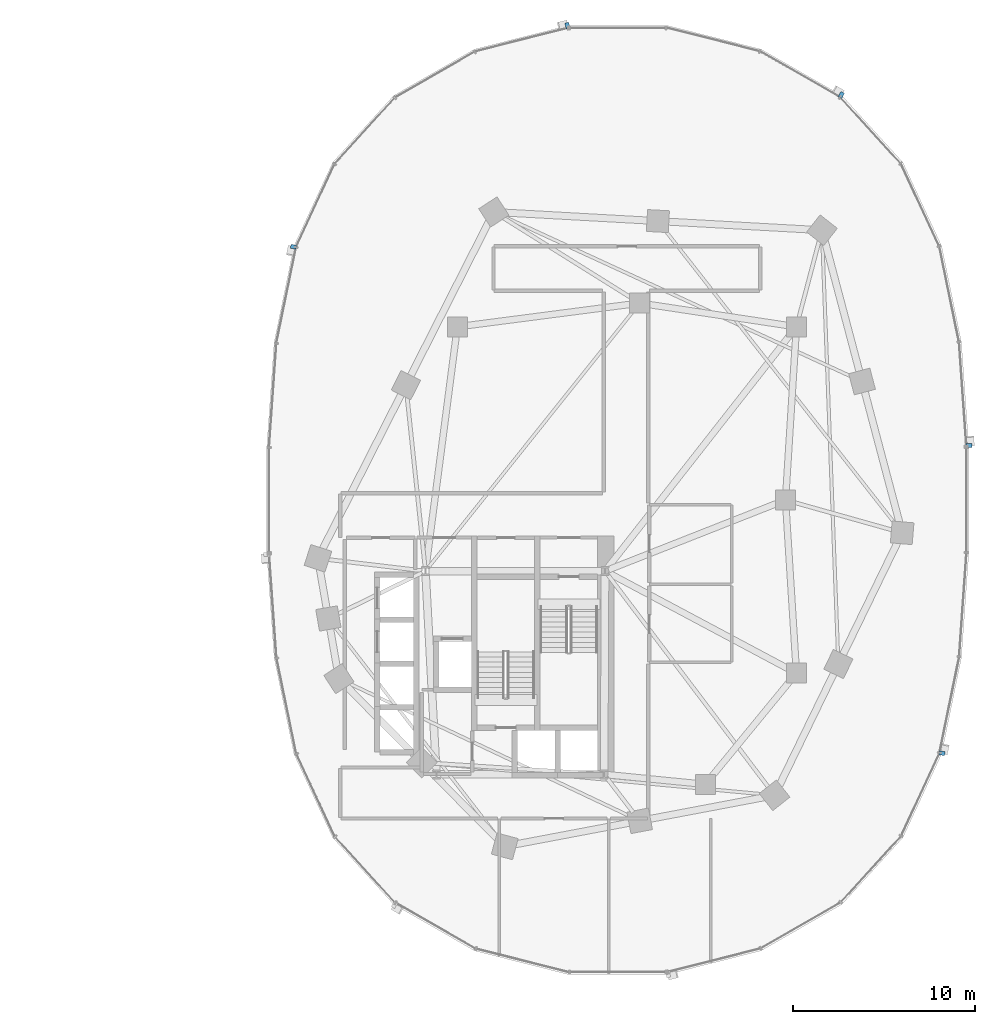
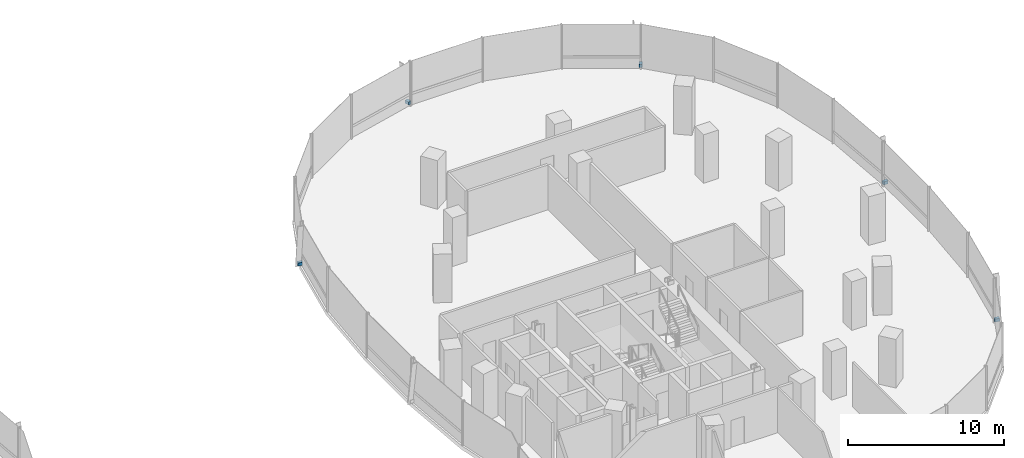
# One storey, part 16 of 21: 5 discrete accessories.
"""IFC4 building model written with IfcOpenShell, lengths in metres."""

from ifc_helpers import new_model, si_unit, direction, frame, origin, origin_2d, place, context, subcontext, project, spatial, rectangle, extrude, material, type_object, element, save


model = new_model("IFC4")

# Units and contexts
model_context = context("Model", 3, precision=1e-05, world=origin(), true_north=direction((0.0, 1.0)))
body_context = subcontext(model_context, "Body", "Model", "MODEL_VIEW")
ifc_project = project(units=[si_unit("LENGTHUNIT", "METRE"), si_unit("AREAUNIT", "SQUARE_METRE"), si_unit("VOLUMEUNIT", "CUBIC_METRE"), si_unit("PLANEANGLEUNIT", "RADIAN"), si_unit("MASSUNIT", "GRAM", prefix="KILO"), si_unit("THERMODYNAMICTEMPERATUREUNIT", "KELVIN"), si_unit("POWERUNIT", "WATT")], contexts=[model_context])

# Site, building, storey
site_placement = place(None, origin())
site = spatial("IfcSite", under=ifc_project, at=site_placement, CompositionType="ELEMENT")
building_placement = place(site_placement, origin())
building = spatial("IfcBuilding", under=site, at=building_placement, Name="Cundina Bronze Exchange", CompositionType="ELEMENT")
storey_placement = place(building_placement, frame((0.0, 0.0, 69.60009765625)))
storey = spatial("IfcBuildingStorey", under=building, at=storey_placement, Name="L17", CompositionType="ELEMENT", Elevation=69.60009765625)

# Discrete accessories
ifc_material = material(Name="Anodised Bronze Aluminium 6063-T6", Category="aluminium")
discrete_accessory_type = type_object("IfcDiscreteAccessoryType", Name="ACC-BRK-FIN", PredefinedType="BRACKET", material=ifc_material)
for number, where, z_axis, x_axis, name in (
    (1, (51.264404296875, 2.986083984375, 0.10009765625), (0.0, 0.0, 1.0), (-0.070278787473, 0.997527389113, 0.0), "L17 Fin Support Bracket 1"),
    (2, (44.259521484375, 22.21875, 0.10009765625), (0.0, 0.0, 1.0), (-0.867105478933, 0.498124571171, 0.0), "L17 Fin Support Bracket 5"),
    (3, (29.23974609375, 26.03173828125, 0.10009765625), (0.0, 0.0, 1.0), (-0.969488149345, -0.245138182011, 0.0), "L17 Fin Support Bracket 1"),
    (4, (14.211669921875, 13.8896484375, 0.10009765625), (0.0, 0.0, 1.0), (-0.201419845156, -0.979505000486, 0.0), "L17 Fin Support Bracket 5"),
    (5, (49.788330078125, -13.8896484375, 0.10009765625), (0.0, 0.0, 1.0), (0.201419845156, 0.979505000486, 0.0), "L17 Fin Support Bracket 5"),
):
    element("IfcDiscreteAccessory", number, at=place(storey_placement, frame(where, z_axis=z_axis, x_axis=x_axis)), inside=storey, type_object=discrete_accessory_type, Name=name, PredefinedType="BRACKET", context=body_context, shape_type="SweptSolid", body=[
        extrude(rectangle(XDim=0.219970703125, YDim=0.320068359375, at=origin_2d()), origin(), (0.0, 0.0, 1.0), 0.239990234375),
    ])

save(model, "model.ifc")
